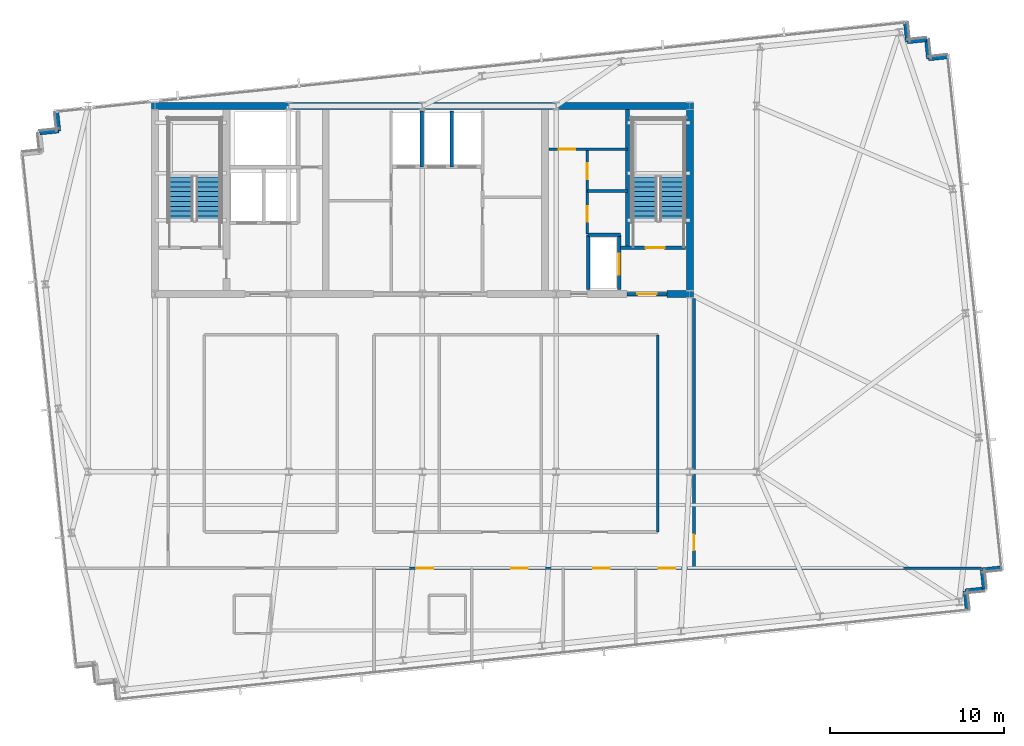
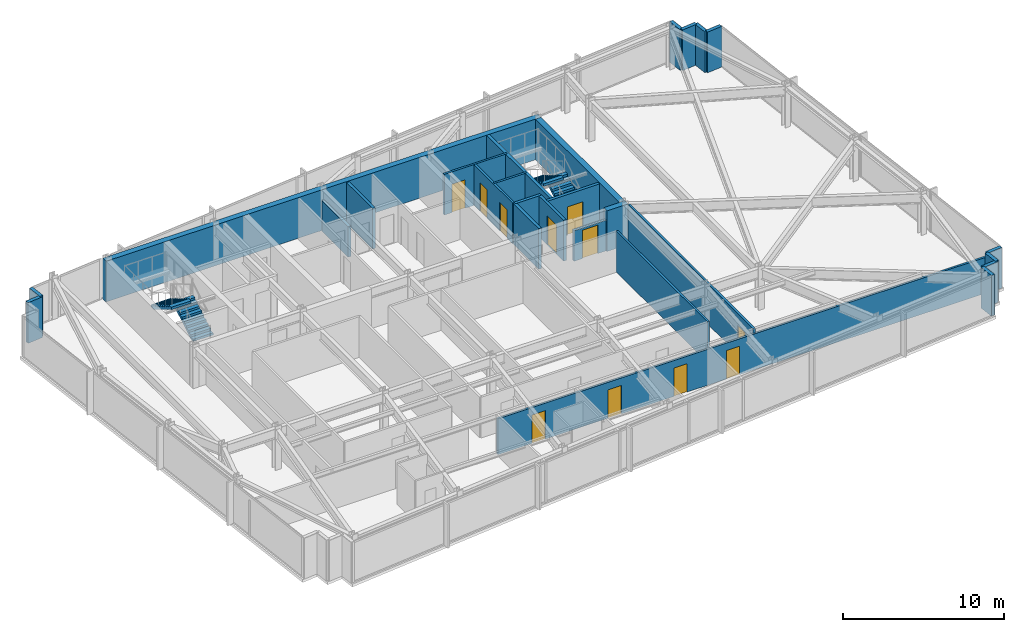
# One storey, part 28 of 32: 27 walls, 11 doors, 4 stair flights, 11 openings, 2 elements without a shape of their own.
"""IFC4 building model written with IfcOpenShell, lengths in metres."""

from ifc_helpers import new_model, si_unit, direction, frame, frame_2d, origin, place, context, subcontext, project, spatial, polyline, rectangle, outline, extrude, material, layer, layer_set, type_object, element, fill, aggregate, save


model = new_model("IFC4")

# Units and contexts
model_context = context("Model", 3, precision=1e-05, world=origin(), true_north=direction((0.0, 1.0)))
body_context = subcontext(model_context, "Body", "Model", "MODEL_VIEW")
ifc_project = project(units=[si_unit("LENGTHUNIT", "METRE"), si_unit("AREAUNIT", "SQUARE_METRE"), si_unit("VOLUMEUNIT", "CUBIC_METRE"), si_unit("PLANEANGLEUNIT", "RADIAN"), si_unit("MASSUNIT", "GRAM", prefix="KILO")], contexts=[model_context])

# Site, building, storey
site_placement = place(None, origin())
site = spatial("IfcSite", under=ifc_project, at=site_placement, CompositionType="ELEMENT")
building_placement = place(site_placement, origin())
building = spatial("IfcBuilding", under=site, at=building_placement, Name="Yelkora Congress Tower", CompositionType="ELEMENT")
storey_placement = place(building_placement, frame((0.0, 0.0, 217.699951171875)))
storey = spatial("IfcBuildingStorey", under=building, at=storey_placement, Name="L60", CompositionType="ELEMENT", Elevation=217.699951171875)

# Walls
ifc_material_1 = material(Name="Concrete C50/60", Category="concrete")
ifc_layer_1 = layer(ifc_material_1, 0.219970703125)
ifc_layer_set_1 = layer_set([ifc_layer_1], Name="Concrete C50/60")
wall_type_1 = type_object("IfcWallType", Name="WALL-CORE-INT-220", PredefinedType="SHEAR", material=ifc_layer_set_1)
wall_1_placement = place(storey_placement, frame((50.179931640625, 38.050048828125, 0.0), z_axis=(0.0, 0.0, 1.0), x_axis=(0.0, 1.0, 0.0)))
element("IfcWall", 1, at=wall_1_placement, inside=storey, type_object=wall_type_1, Name="L60 ST02 West Stair Shear Wall", PredefinedType="SHEAR", context=body_context, shape_type="SweptSolid", body=[
    extrude(rectangle(XDim=7.949951171875, YDim=0.219970703125, at=frame_2d((3.97509765625, 0.0))), origin(), (0.0, 0.0, 1.0), 3.080078125),
])
ifc_layer_2 = layer(ifc_material_1, 0.39990234375)
ifc_layer_set_2 = layer_set([ifc_layer_2], Name="Concrete C50/60")
wall_type_2 = type_object("IfcWallType", Name="WALL-CORE-INT-400", PredefinedType="SHEAR", material=ifc_layer_set_2)
wall_2_placement = place(storey_placement, frame((22.840087890625, 46.199951171875, 0.0), z_axis=(0.0, 0.0, 1.0), x_axis=(1.0, 0.0, 0.0)))
element("IfcWall", 2, at=wall_2_placement, inside=storey, type_object=wall_type_2, Name="L60 Rear Core North Shear Wall", PredefinedType="SHEAR", context=body_context, shape_type="SweptSolid", body=[
    extrude(rectangle(XDim=31.119873046875, YDim=0.39990234375, at=frame_2d((15.56005859375, 0.0))), origin(), (0.0, 0.0, 1.0), 3.080078125),
])
wall_3_placement = place(storey_placement, frame((52.449951171875, 35.39990234375, 0.0), z_axis=(0.0, 0.0, 1.0), x_axis=(1.0, 0.0, 0.0)))
element("IfcWall", 3, at=wall_3_placement, inside=storey, type_object=wall_type_2, Name="L60 Rear Core South-East Shear Wall B", PredefinedType="SHEAR", context=body_context, shape_type="SweptSolid", body=[
    extrude(rectangle(XDim=1.510009765625, YDim=0.39990234375, at=frame_2d((0.7548828125, 0.0))), origin(), (0.0, 0.0, 1.0), 3.080078125),
])
wall_4_placement = place(storey_placement, frame((53.760009765625, 35.60009765625, 0.0), z_axis=(0.0, 0.0, 1.0), x_axis=(0.0, 1.0, 0.0)))
element("IfcWall", 4, at=wall_4_placement, inside=storey, type_object=wall_type_2, Name="L60 Rear Core Cross Shear Wall E", PredefinedType="SHEAR", context=body_context, shape_type="SweptSolid", body=[
    extrude(rectangle(XDim=10.39990234375, YDim=0.39990234375, at=frame_2d((5.199951171875, 0.0))), origin(), (0.0, 0.0, 1.0), 3.080078125),
])
ifc_material_2 = material(Name="Concrete C40/50", Category="concrete")
ifc_layer_3 = layer(ifc_material_2, 0.239990234375)
ifc_layer_set_3 = layer_set([ifc_layer_3], Name="Concrete C40/50")
wall_type_3 = type_object("IfcWallType", Name="WALL-EXT-LIMESTONE-240", PredefinedType="SOLIDWALL", material=ifc_layer_set_3)
wall_5_placement = place(storey_placement, frame((16.420166015625, 44.65380859375, 0.0), z_axis=(0.0, 0.0, 1.0), x_axis=(0.994541884982, 0.104338099541, 0.0)))
element("IfcWall", 5, at=wall_5_placement, inside=storey, type_object=wall_type_3, Name="L60 Serrated Corner Limestone Pier 8", PredefinedType="SOLIDWALL", context=body_context, shape_type="SweptSolid", body=[
    extrude(rectangle(XDim=1.099853515625, YDim=0.239990234375, at=frame_2d((0.5498046875, 0.0))), origin(), (0.0, 0.0, 1.0), 3.080078125),
])
for number, where, z_axis, x_axis, name in (
    (6, (17.513916015625, 44.7685546875, 0.0), (0.0, 0.0, 1.0), (-0.104534592565, 0.994521251134, 0.0), "L60 Serrated Corner Limestone Pier 9"),
    (7, (66.150390625, 50.986572265625, 0.0), (0.0, 0.0, 1.0), (0.104534592565, -0.994521251134, 0.0), "L60 Serrated Corner Limestone Pier 11"),
    (8, (66.265380859375, 49.892578125, 0.0), (0.0, 0.0, 1.0), (0.994521251134, 0.104534592565, 0.0), "L60 Serrated Corner Limestone Pier 12"),
    (9, (67.359375, 50.007568359375, 0.0), (0.0, 0.0, 1.0), (0.104534592565, -0.994521251134, 0.0), "L60 Serrated Corner Limestone Pier 13"),
    (10, (67.474365234375, 48.91357421875, 0.0), (0.0, 0.0, 1.0), (0.994521251134, 0.104534592565, 0.0), "L60 Serrated Corner Limestone Pier 14"),
    (11, (71.654052734375, 19.67041015625, 0.0), (0.0, 0.0, 1.0), (-0.994521251134, -0.104534592565, 0.0), "L60 Serrated Corner Limestone Pier 16"),
    (12, (70.56005859375, 19.555419921875, 0.0), (0.0, 0.0, 1.0), (0.104534592565, -0.994521251134, 0.0), "L60 Serrated Corner Limestone Pier 17"),
    (13, (70.675048828125, 18.46142578125, 0.0), (0.0, 0.0, 1.0), (-0.994521251134, -0.104534592565, 0.0), "L60 Serrated Corner Limestone Pier 18"),
    (14, (69.5810546875, 18.346435546875, 0.0), (0.0, 0.0, 1.0), (0.104534592565, -0.994521251134, 0.0), "L60 Serrated Corner Limestone Pier 19"),
):
    element("IfcWall", number, at=place(storey_placement, frame(where, z_axis=z_axis, x_axis=x_axis)), inside=storey, type_object=wall_type_3, Name=name, PredefinedType="SOLIDWALL", context=body_context, shape_type="SweptSolid", body=[
        extrude(rectangle(XDim=1.10009765625, YDim=0.239990234375, at=frame_2d((0.550048828125, 0.0))), origin(), (0.0, 0.0, 1.0), 3.080078125),
    ])

# Wall, opening, door
ifc_material_3 = material(Name="Acoustic metal-stud gypsum partition", Category="gypsum")
ifc_layer_4 = layer(ifc_material_3, 0.14990234375)
ifc_layer_set_4 = layer_set([ifc_layer_4], Name="Acoustic metal-stud gypsum partition")
wall_type_4 = type_object("IfcWallType", Name="WALL-INT-150-NR", PredefinedType="PARTITIONING", material=ifc_layer_set_4)
wall_6_placement = place(storey_placement, frame((45.679931640625, 43.719970703125, 0.0), z_axis=(0.0, 0.0, 1.0), x_axis=(1.0, 0.0, 0.0)))
wall_6 = element("IfcWall", 15, at=wall_6_placement, inside=storey, type_object=wall_type_4, Name="L60 Partition Wall 20", PredefinedType="PARTITIONING", context=body_context, shape_type="SweptSolid", body=[
    extrude(rectangle(XDim=4.5, YDim=0.14990234375, at=frame_2d((2.25, 0.0))), origin(), (0.0, 0.0, 1.0), 3.080078125),
])
opening_1_placement = place(wall_6_placement, frame((0.550048828125, 0.0, 0.0)))
opening_1 = element("IfcOpeningElement", 16, at=opening_1_placement, cuts=wall_6, Name="Opening DR-095N", PredefinedType="OPENING", context=body_context, shape_type="SweptSolid", body=[
    extrude(rectangle(XDim=0.949951171875, YDim=2.14990234375, at=frame_2d((0.47509765625, 1.074951171875))), frame((0.0, 0.0849609375, 0.0), z_axis=(0.0, -1.0, 0.0), x_axis=(1.0, 0.0, 0.0)), (0.0, 0.0, 1.0), 0.169921875),
])
ifc_material_4 = material(Name="Acoustic laminated timber office door", Category="wood")
door_type_1 = type_object("IfcDoorType", Name="DOOR-INT-950", OperationType="NOTDEFINED", PredefinedType="DOOR", material=ifc_material_4)
door_1_placement = place(opening_1_placement, origin())
door_1 = element("IfcDoor", 17, at=door_1_placement, inside=storey, type_object=door_type_1, Name="L60 Accessible WC Door", OperationType="SINGLE_SWING_LEFT", OverallHeight=2.14990234375, OverallWidth=0.949951171875, PredefinedType="DOOR", context=body_context, shape_type="SweptSolid", body=[
    extrude(rectangle(XDim=0.949951171875, YDim=2.14990234375, at=frame_2d((0.47509765625, 1.074951171875))), frame((0.0, 0.02490234375, 0.0), z_axis=(0.0, -1.0, 0.0), x_axis=(1.0, 0.0, 0.0)), (0.0, 0.0, 1.0), 0.050048828125),
])
fill(opening_1, door_1)

# Wall
wall_7_placement = place(storey_placement, frame((47.8798828125, 41.320068359375, 0.0), z_axis=(0.0, 0.0, 1.0), x_axis=(1.0, 0.0, 0.0)))
element("IfcWall", 18, at=wall_7_placement, inside=storey, type_object=wall_type_4, Name="L60 Partition Wall 21", PredefinedType="PARTITIONING", context=body_context, shape_type="SweptSolid", body=[
    extrude(rectangle(XDim=2.300048828125, YDim=0.14990234375, at=frame_2d((1.14990234375, 0.0))), origin(), (0.0, 0.0, 1.0), 3.080078125),
])

# Wall, openings, doors
wall_8_placement = place(storey_placement, frame((47.8798828125, 38.85009765625, 0.0), z_axis=(0.0, 0.0, 1.0), x_axis=(0.0, 1.0, 0.0)))
wall_8 = element("IfcWall", 19, at=wall_8_placement, inside=storey, type_object=wall_type_4, Name="L60 Partition Wall 22", PredefinedType="PARTITIONING", context=body_context, shape_type="SweptSolid", body=[
    extrude(rectangle(XDim=4.869873046875, YDim=0.14990234375, at=frame_2d((2.43505859375, 0.0))), origin(), (0.0, 0.0, 1.0), 3.080078125),
])
opening_2_placement = place(wall_8_placement, frame((0.699951171875, 0.0, 0.0)))
opening_2 = element("IfcOpeningElement", 20, at=opening_2_placement, cuts=wall_8, Name="Opening DR-090N", PredefinedType="OPENING", context=body_context, shape_type="SweptSolid", body=[
    extrude(rectangle(XDim=0.89990234375, YDim=2.14990234375, at=frame_2d((0.449951171875, 1.074951171875))), frame((0.0, 0.0849609375, 0.0), z_axis=(0.0, -1.0, 0.0), x_axis=(1.0, 0.0, 0.0)), (0.0, 0.0, 1.0), 0.169921875),
])
opening_3_placement = place(wall_8_placement, frame((3.14990234375, 0.0, 0.0)))
opening_3 = element("IfcOpeningElement", 21, at=opening_3_placement, cuts=wall_8, Name="Opening DR-090N", PredefinedType="OPENING", context=body_context, shape_type="SweptSolid", body=[
    extrude(rectangle(XDim=0.89990234375, YDim=2.14990234375, at=frame_2d((0.449951171875, 1.074951171875))), frame((0.0, 0.0849609375, 0.0), z_axis=(0.0, -1.0, 0.0), x_axis=(1.0, 0.0, 0.0)), (0.0, 0.0, 1.0), 0.169921875),
])
ifc_material_5 = material(Name="Moisture-resistant laminate door leaf", Category="wood")
door_type_2 = type_object("IfcDoorType", Name="DOOR-INT-900", OperationType="NOTDEFINED", PredefinedType="DOOR", material=ifc_material_5)
door_2_placement = place(opening_2_placement, origin())
door_2 = element("IfcDoor", 22, at=door_2_placement, inside=storey, type_object=door_type_2, Name="L60 Male WC Door", OperationType="SINGLE_SWING_RIGHT", OverallHeight=2.14990234375, OverallWidth=0.89990234375, PredefinedType="DOOR", context=body_context, shape_type="SweptSolid", body=[
    extrude(rectangle(XDim=0.89990234375, YDim=2.14990234375, at=frame_2d((0.449951171875, 1.074951171875))), frame((0.0, 0.02490234375, 0.0), z_axis=(0.0, -1.0, 0.0), x_axis=(1.0, 0.0, 0.0)), (0.0, 0.0, 1.0), 0.050048828125),
])
fill(opening_2, door_2)
door_3_placement = place(opening_3_placement, origin())
door_3 = element("IfcDoor", 23, at=door_3_placement, inside=storey, type_object=door_type_2, Name="L60 Female WC Door", OperationType="SINGLE_SWING_LEFT", OverallHeight=2.14990234375, OverallWidth=0.89990234375, PredefinedType="DOOR", context=body_context, shape_type="SweptSolid", body=[
    extrude(rectangle(XDim=0.89990234375, YDim=2.14990234375, at=frame_2d((0.449951171875, 1.074951171875))), frame((0.0, 0.02490234375, 0.0), z_axis=(0.0, -1.0, 0.0), x_axis=(1.0, 0.0, 0.0)), (0.0, 0.0, 1.0), 0.050048828125),
])
fill(opening_3, door_3)

# Wall, opening, door
wall_9_placement = place(storey_placement, frame((54.0, 19.64990234375, 0.0), z_axis=(0.0, 0.0, 1.0), x_axis=(0.0, 1.0, 0.0)))
wall_9 = element("IfcWall", 24, at=wall_9_placement, inside=storey, type_object=wall_type_4, Name="L60 Partition Wall 38", PredefinedType="PARTITIONING", context=body_context, shape_type="SweptSolid", body=[
    extrude(rectangle(XDim=15.489990234375, YDim=0.14990234375, at=frame_2d((7.7451171875, 0.0))), origin(), (0.0, 0.0, 1.0), 3.080078125),
])
opening_4_placement = place(wall_9_placement, frame((1.030029296875, 0.0, 0.0)))
opening_4 = element("IfcOpeningElement", 25, at=opening_4_placement, cuts=wall_9, Name="Opening DR-090N", PredefinedType="OPENING", context=body_context, shape_type="SweptSolid", body=[
    extrude(rectangle(XDim=0.89990234375, YDim=2.14990234375, at=frame_2d((0.449951171875, 1.074951171875))), frame((0.0, 0.0849609375, 0.0), z_axis=(0.0, -1.0, 0.0), x_axis=(1.0, 0.0, 0.0)), (0.0, 0.0, 1.0), 0.169921875),
])
door_4_placement = place(opening_4_placement, origin())
door_4 = element("IfcDoor", 26, at=door_4_placement, inside=storey, type_object=door_type_2, Name="L60 E Wing Door", OperationType="SINGLE_SWING_RIGHT", OverallHeight=2.14990234375, OverallWidth=0.89990234375, PredefinedType="DOOR", context=body_context, shape_type="SweptSolid", body=[
    extrude(rectangle(XDim=0.89990234375, YDim=2.14990234375, at=frame_2d((0.449951171875, 1.074951171875))), frame((0.0, 0.02490234375, 0.0), z_axis=(0.0, -1.0, 0.0), x_axis=(1.0, 0.0, 0.0)), (0.0, 0.0, 1.0), 0.050048828125),
])
fill(opening_4, door_4)

# Wall
wall_10_placement = place(storey_placement, frame((51.919921875, 21.72998046875, 0.0), z_axis=(0.0, 0.0, 1.0), x_axis=(0.0, 1.0, 0.0)))
element("IfcWall", 27, at=wall_10_placement, inside=storey, type_object=wall_type_4, Name="L60 Partition Wall 40", PredefinedType="PARTITIONING", context=body_context, shape_type="SweptSolid", body=[
    extrude(rectangle(XDim=11.320068359375, YDim=0.14990234375, at=frame_2d((5.66015625, 0.0))), origin(), (0.0, 0.0, 1.0), 3.080078125),
])

# Wall, openings, doors
ifc_material_6 = material(Name="Twin-stud fire-rated gypsum partition", Category="gypsum")
ifc_layer_5 = layer(ifc_material_6, 0.14990234375)
ifc_layer_set_5 = layer_set([ifc_layer_5], Name="Twin-stud fire-rated gypsum partition")
wall_type_5 = type_object("IfcWallType", Name="WALL-INT-150-R60", PredefinedType="PARTITIONING", material=ifc_layer_set_5)
wall_11_placement = place(storey_placement, frame((35.6201171875, 19.64990234375, 0.0), z_axis=(0.0, 0.0, 1.0), x_axis=(1.0, 0.0, 0.0)))
wall_11 = element("IfcWall", 28, at=wall_11_placement, inside=storey, type_object=wall_type_5, Name="L60 South Spine Wall East", PredefinedType="PARTITIONING", context=body_context, shape_type="SweptSolid", body=[
    extrude(rectangle(XDim=34.89990234375, YDim=0.14990234375, at=frame_2d((17.449951171875, 0.0))), origin(), (0.0, 0.0, 1.0), 2.715087890625),
])
opening_5_placement = place(wall_11_placement, frame((2.4541015625, 0.0, 0.0)))
opening_5 = element("IfcOpeningElement", 29, at=opening_5_placement, cuts=wall_11, Name="Opening DR-095F6", PredefinedType="OPENING", context=body_context, shape_type="SweptSolid", body=[
    extrude(rectangle(XDim=0.949951171875, YDim=2.14990234375, at=frame_2d((0.47509765625, 1.074951171875))), frame((0.0, 0.0849609375, 0.0), z_axis=(0.0, -1.0, 0.0), x_axis=(1.0, 0.0, 0.0)), (0.0, 0.0, 1.0), 0.169921875),
])
opening_6_placement = place(wall_11_placement, frame((7.887939453125, 0.0, 0.0)))
opening_6 = element("IfcOpeningElement", 30, at=opening_6_placement, cuts=wall_11, Name="Opening DR-095F6", PredefinedType="OPENING", context=body_context, shape_type="SweptSolid", body=[
    extrude(rectangle(XDim=0.949951171875, YDim=2.14990234375, at=frame_2d((0.47509765625, 1.074951171875))), frame((0.0, 0.0849609375, 0.0), z_axis=(0.0, -1.0, 0.0), x_axis=(1.0, 0.0, 0.0)), (0.0, 0.0, 1.0), 0.169921875),
])
opening_7_placement = place(wall_11_placement, frame((12.593505859375, 0.0, 0.0)))
opening_7 = element("IfcOpeningElement", 31, at=opening_7_placement, cuts=wall_11, Name="Opening DR-095F6", PredefinedType="OPENING", context=body_context, shape_type="SweptSolid", body=[
    extrude(rectangle(XDim=0.949951171875, YDim=2.14990234375, at=frame_2d((0.47509765625, 1.074951171875))), frame((0.0, 0.0849609375, 0.0), z_axis=(0.0, -1.0, 0.0), x_axis=(1.0, 0.0, 0.0)), (0.0, 0.0, 1.0), 0.169921875),
])
opening_8_placement = place(wall_11_placement, frame((16.344482421875, 0.0, 0.0)))
opening_8 = element("IfcOpeningElement", 32, at=opening_8_placement, cuts=wall_11, Name="Opening DR-095F6", PredefinedType="OPENING", context=body_context, shape_type="SweptSolid", body=[
    extrude(rectangle(XDim=0.949951171875, YDim=2.14990234375, at=frame_2d((0.47509765625, 1.074951171875))), frame((0.0, 0.0849609375, 0.0), z_axis=(0.0, -1.0, 0.0), x_axis=(1.0, 0.0, 0.0)), (0.0, 0.0, 1.0), 0.169921875),
])
ifc_material_7 = material(Name="Acoustic oak-veneer fire door leaf", Category="wood")
door_type_3 = type_object("IfcDoorType", Name="DOOR-FD60-950", OperationType="NOTDEFINED", PredefinedType="DOOR", material=ifc_material_7)
door_5_placement = place(opening_5_placement, origin())
door_5 = element("IfcDoor", 33, at=door_5_placement, inside=storey, type_object=door_type_3, Name="L60 Hotel Guest Room 03 Entry Door", OperationType="SINGLE_SWING_LEFT", OverallHeight=2.14990234375, OverallWidth=0.949951171875, PredefinedType="DOOR", context=body_context, shape_type="SweptSolid", body=[
    extrude(rectangle(XDim=0.949951171875, YDim=2.14990234375, at=frame_2d((0.47509765625, 1.074951171875))), frame((0.0, 0.02490234375, 0.0), z_axis=(0.0, -1.0, 0.0), x_axis=(1.0, 0.0, 0.0)), (0.0, 0.0, 1.0), 0.050048828125),
])
fill(opening_5, door_5)
door_6_placement = place(opening_6_placement, origin())
door_6 = element("IfcDoor", 34, at=door_6_placement, inside=storey, type_object=door_type_3, Name="L60 VIP Hospitality Lounge Entry Door", OperationType="SINGLE_SWING_RIGHT", OverallHeight=2.14990234375, OverallWidth=0.949951171875, PredefinedType="DOOR", context=body_context, shape_type="SweptSolid", body=[
    extrude(rectangle(XDim=0.949951171875, YDim=2.14990234375, at=frame_2d((0.47509765625, 1.074951171875))), frame((0.0, 0.02490234375, 0.0), z_axis=(0.0, -1.0, 0.0), x_axis=(1.0, 0.0, 0.0)), (0.0, 0.0, 1.0), 0.050048828125),
])
fill(opening_6, door_6)
door_7_placement = place(opening_7_placement, origin())
door_7 = element("IfcDoor", 35, at=door_7_placement, inside=storey, type_object=door_type_3, Name="L60 VIP Hospitality Lounge Entry Door", OperationType="SINGLE_SWING_LEFT", OverallHeight=2.14990234375, OverallWidth=0.949951171875, PredefinedType="DOOR", context=body_context, shape_type="SweptSolid", body=[
    extrude(rectangle(XDim=0.949951171875, YDim=2.14990234375, at=frame_2d((0.47509765625, 1.074951171875))), frame((0.0, 0.02490234375, 0.0), z_axis=(0.0, -1.0, 0.0), x_axis=(1.0, 0.0, 0.0)), (0.0, 0.0, 1.0), 0.050048828125),
])
fill(opening_7, door_7)
door_8_placement = place(opening_8_placement, origin())
door_8 = element("IfcDoor", 36, at=door_8_placement, inside=storey, type_object=door_type_3, Name="L60 VIP Hospitality Lounge Entry Door", OperationType="SINGLE_SWING_RIGHT", OverallHeight=2.14990234375, OverallWidth=0.949951171875, PredefinedType="DOOR", context=body_context, shape_type="SweptSolid", body=[
    extrude(rectangle(XDim=0.949951171875, YDim=2.14990234375, at=frame_2d((0.47509765625, 1.074951171875))), frame((0.0, 0.02490234375, 0.0), z_axis=(0.0, -1.0, 0.0), x_axis=(1.0, 0.0, 0.0)), (0.0, 0.0, 1.0), 0.050048828125),
])
fill(opening_8, door_8)

# Walls
ifc_material_8 = material(Name="Autoclaved aerated concrete blockwork", Category="masonry")
ifc_layer_6 = layer(ifc_material_8, 0.199951171875)
ifc_layer_set_6 = layer_set([ifc_layer_6], Name="Autoclaved aerated concrete blockwork")
wall_type_6 = type_object("IfcWallType", Name="WALL-INT-200-R120", PredefinedType="PARTITIONING", material=ifc_layer_set_6)
wall_12_placement = place(storey_placement, frame((38.35009765625, 42.699951171875, 0.0), z_axis=(0.0, 0.0, 1.0), x_axis=(0.0, 1.0, 0.0)))
element("IfcWall", 37, at=wall_12_placement, inside=storey, type_object=wall_type_6, Name="L60 Partition Wall 9", PredefinedType="PARTITIONING", context=body_context, shape_type="SweptSolid", body=[
    extrude(rectangle(XDim=3.219970703125, YDim=0.199951171875, at=frame_2d((1.60986328125, 0.0))), origin(), (0.0, 0.0, 1.0), 2.31298828125),
])
wall_13_placement = place(storey_placement, frame((40.10009765625, 42.699951171875, 0.0), z_axis=(0.0, 0.0, 1.0), x_axis=(0.0, 1.0, 0.0)))
element("IfcWall", 38, at=wall_13_placement, inside=storey, type_object=wall_type_6, Name="L60 Partition Wall 10", PredefinedType="PARTITIONING", context=body_context, shape_type="SweptSolid", body=[
    extrude(rectangle(XDim=3.219970703125, YDim=0.199951171875, at=frame_2d((1.60986328125, 0.0))), origin(), (0.0, 0.0, 1.0), 3.080078125),
])

# Wall, opening, door
wall_14_placement = place(storey_placement, frame((49.780029296875, 38.050048828125, 0.0), z_axis=(0.0, 0.0, 1.0), x_axis=(1.0, 0.0, 0.0)))
wall_14 = element("IfcWall", 39, at=wall_14_placement, inside=storey, type_object=wall_type_6, Name="L60 Stair ST-02 Enclosure Wall", PredefinedType="PARTITIONING", context=body_context, shape_type="SweptSolid", body=[
    extrude(rectangle(XDim=3.719970703125, YDim=0.199951171875, at=frame_2d((1.85986328125, 0.0))), origin(), (0.0, 0.0, 1.0), 3.080078125),
])
opening_9_placement = place(wall_14_placement, frame((1.436279296875, 0.0, 0.0)))
opening_9 = element("IfcOpeningElement", 40, at=opening_9_placement, cuts=wall_14, Name="Opening DR-110F9", PredefinedType="OPENING", context=body_context, shape_type="SweptSolid", body=[
    extrude(rectangle(XDim=1.10009765625, YDim=2.14990234375, at=frame_2d((0.550048828125, 1.074951171875))), frame((0.0, 0.10986328125, 0.0), z_axis=(0.0, -1.0, 0.0), x_axis=(1.0, 0.0, 0.0)), (0.0, 0.0, 1.0), 0.219970703125),
])
ifc_material_9 = material(Name="Galvanised steel fire door leaf", Category="steel")
door_type_4 = type_object("IfcDoorType", Name="DOOR-FD90-1100", OperationType="NOTDEFINED", PredefinedType="DOOR", material=ifc_material_9)
door_9_placement = place(opening_9_placement, origin())
door_9 = element("IfcDoor", 41, at=door_9_placement, inside=storey, type_object=door_type_4, Name="L60 Stair ST-02 Entry Door", OperationType="SINGLE_SWING_RIGHT", OverallHeight=2.14990234375, OverallWidth=1.10009765625, PredefinedType="DOOR", context=body_context, shape_type="SweptSolid", body=[
    extrude(rectangle(XDim=1.10009765625, YDim=2.14990234375, at=frame_2d((0.550048828125, 1.074951171875))), frame((0.0, 0.02490234375, 0.0), z_axis=(0.0, -1.0, 0.0), x_axis=(1.0, 0.0, 0.0)), (0.0, 0.0, 1.0), 0.050048828125),
])
fill(opening_9, door_9)

wall_15_placement = place(storey_placement, frame((50.14990234375, 35.39990234375, 0.0), z_axis=(0.0, 0.0, 1.0), x_axis=(1.0, 0.0, 0.0)))
wall_15 = element("IfcWall", 42, at=wall_15_placement, inside=storey, type_object=wall_type_6, Name="L60 Partition Wall 16", PredefinedType="PARTITIONING", context=body_context, shape_type="SweptSolid", body=[
    extrude(rectangle(XDim=2.300048828125, YDim=0.199951171875, at=frame_2d((1.14990234375, 0.0))), origin(), (0.0, 0.0, 1.0), 2.31298828125),
])
opening_10_placement = place(wall_15_placement, frame((0.60009765625, 0.0, 0.0)))
opening_10 = element("IfcOpeningElement", 43, at=opening_10_placement, cuts=wall_15, Name="Opening DR-110F9", PredefinedType="OPENING", context=body_context, shape_type="SweptSolid", body=[
    extrude(rectangle(XDim=1.10009765625, YDim=2.14990234375, at=frame_2d((0.550048828125, 1.074951171875))), frame((0.0, 0.10986328125, 0.0), z_axis=(0.0, -1.0, 0.0), x_axis=(1.0, 0.0, 0.0)), (0.0, 0.0, 1.0), 0.219970703125),
])
door_10_placement = place(opening_10_placement, origin())
door_10 = element("IfcDoor", 44, at=door_10_placement, inside=storey, type_object=door_type_4, Name="L60 East Stair Lobby Door", OperationType="SINGLE_SWING_LEFT", OverallHeight=2.14990234375, OverallWidth=1.10009765625, PredefinedType="DOOR", context=body_context, shape_type="SweptSolid", body=[
    extrude(rectangle(XDim=1.10009765625, YDim=2.14990234375, at=frame_2d((0.550048828125, 1.074951171875))), frame((0.0, 0.02490234375, 0.0), z_axis=(0.0, -1.0, 0.0), x_axis=(1.0, 0.0, 0.0)), (0.0, 0.0, 1.0), 0.050048828125),
])
fill(opening_10, door_10)

wall_16_placement = place(storey_placement, frame((49.699951171875, 35.64990234375, 0.0), z_axis=(0.0, 0.0, 1.0), x_axis=(0.0, 1.0, 0.0)))
wall_16 = element("IfcWall", 45, at=wall_16_placement, inside=storey, type_object=wall_type_6, Name="L60 Partition Wall 17", PredefinedType="PARTITIONING", context=body_context, shape_type="SweptSolid", body=[
    extrude(rectangle(XDim=3.150146484375, YDim=0.199951171875, at=frame_2d((1.5751953125, 0.0))), origin(), (0.0, 0.0, 1.0), 3.080078125),
])
opening_11_placement = place(wall_16_placement, frame((0.85009765625, 0.0, 0.0)))
opening_11 = element("IfcOpeningElement", 46, at=opening_11_placement, cuts=wall_16, Name="Opening LD-SV12", PredefinedType="OPENING", context=body_context, shape_type="SweptSolid", body=[
    extrude(rectangle(XDim=1.199951171875, YDim=2.199951171875, at=frame_2d((0.60009765625, 1.10009765625))), frame((0.0, 0.10986328125, 0.0), z_axis=(0.0, -1.0, 0.0), x_axis=(1.0, 0.0, 0.0)), (0.0, 0.0, 1.0), 0.219970703125),
])
ifc_material_10 = material(Name="Heavy-duty stainless steel landing door", Category="steel")
door_type_5 = type_object("IfcDoorType", Name="DOOR-LIFT-SRV-1200", OperationType="DOUBLE_DOOR_SLIDING", PredefinedType="DOOR", material=ifc_material_10)
door_11_placement = place(opening_11_placement, origin())
door_11 = element("IfcDoor", 47, at=door_11_placement, inside=storey, type_object=door_type_5, Name="Service Lift Landing Door LF-SV1 L60", OperationType="DOUBLE_DOOR_SLIDING", OverallHeight=2.199951171875, OverallWidth=1.199951171875, PredefinedType="DOOR", context=body_context, shape_type="SweptSolid", body=[
    extrude(rectangle(XDim=1.199951171875, YDim=2.199951171875, at=frame_2d((0.60009765625, 1.10009765625))), frame((0.0, 0.02490234375, 0.0), z_axis=(0.0, -1.0, 0.0), x_axis=(1.0, 0.0, 0.0)), (0.0, 0.0, 1.0), 0.050048828125),
])
fill(opening_11, door_11)

# Walls
wall_17_placement = place(storey_placement, frame((47.919921875, 35.64990234375, 0.0), z_axis=(0.0, 0.0, 1.0), x_axis=(0.0, 1.0, 0.0)))
element("IfcWall", 48, at=wall_17_placement, inside=storey, type_object=wall_type_6, Name="L60 Partition Wall 18", PredefinedType="PARTITIONING", context=body_context, shape_type="SweptSolid", body=[
    extrude(rectangle(XDim=3.150146484375, YDim=0.199951171875, at=frame_2d((1.5751953125, 0.0))), origin(), (0.0, 0.0, 1.0), 3.080078125),
])
wall_18_placement = place(storey_placement, frame((47.919921875, 38.800048828125, 0.0), z_axis=(0.0, 0.0, 1.0), x_axis=(1.0, 0.0, 0.0)))
element("IfcWall", 49, at=wall_18_placement, inside=storey, type_object=wall_type_6, Name="L60 Partition Wall 19", PredefinedType="PARTITIONING", context=body_context, shape_type="SweptSolid", body=[
    extrude(rectangle(XDim=1.860107421875, YDim=0.199951171875, at=frame_2d((0.93017578125, 0.0))), origin(), (0.0, 0.0, 1.0), 3.080078125),
])

# Stair, stair flights
stair_type = type_object("IfcStairType", Name="STAIR-HT-1420-R20-165", PredefinedType="HALF_TURN_STAIR", material=ifc_material_2)
stair_1_placement = place(storey_placement, origin())
stair_1 = element("IfcStair", 50, at=stair_1_placement, inside=storey, type_object=stair_type, Name="West Core Protected Exit Stair ST-01 (L60)", PredefinedType="HALF_TURN_STAIR")
stair_flight_type = type_object("IfcStairFlightType", Name="FLIGHT-1420-N10-R165-G280", PredefinedType="STRAIGHT", material=ifc_material_2)
stair_flight_1_placement = place(storey_placement, frame((26.110107421875, 39.60009765625, 0.0), z_axis=(0.0, 0.0, 1.0), x_axis=(0.0, 1.0, 0.0)))
stair_flight_1 = element("IfcStairFlight", 51, at=stair_flight_1_placement, type_object=stair_flight_type, Name="ST-01 L60 Flight 1", NumberOfRisers=10, NumberOfTreads=9, PredefinedType="STRAIGHT", RiserHeight=0.165, TreadLength=0.28, context=body_context, shape_type="SweptSolid", body=[
    extrude(outline(polyline([(0.0, 0.0), (0.0, 0.1650390625), (0.280029296875, 0.1650390625), (0.280029296875, 0.330078125), (0.56005859375, 0.330078125), (0.56005859375, 0.4951171875), (0.840087890625, 0.4951171875), (0.840087890625, 0.659912109375), (1.1201171875, 0.659912109375), (1.1201171875, 0.824951171875), (1.39990234375, 0.824951171875), (1.39990234375, 0.989990234375), (1.679931640625, 0.989990234375), (1.679931640625, 1.155029296875), (1.9599609375, 1.155029296875), (1.9599609375, 1.320068359375), (2.239990234375, 1.320068359375), (2.239990234375, 1.485107421875), (2.52001953125, 1.485107421875), (2.52001953125, 1.64990234375), (2.52001953125, 1.29931640625), (0.31494140625, 0.0), (0.0, 0.0)])), frame((0.0, 0.7099609375, 0.0), z_axis=(0.0, -1.0, 0.0), x_axis=(1.0, 0.0, 0.0)), (0.0, 0.0, 1.0), 1.419921875),
])
stair_flight_2_placement = place(storey_placement, frame((24.530029296875, 42.1201171875, 1.650146484375), z_axis=(0.0, 0.0, 1.0), x_axis=(0.0, -1.0, 0.0)))
stair_flight_2 = element("IfcStairFlight", 52, at=stair_flight_2_placement, type_object=stair_flight_type, Name="ST-01 L60 Flight 2", NumberOfRisers=10, NumberOfTreads=9, PredefinedType="STRAIGHT", RiserHeight=0.165, TreadLength=0.28, context=body_context, shape_type="SweptSolid", body=[
    extrude(outline(polyline([(0.0, 0.0), (0.0, 0.1650390625), (0.280029296875, 0.1650390625), (0.280029296875, 0.330078125), (0.56005859375, 0.330078125), (0.56005859375, 0.4951171875), (0.840087890625, 0.4951171875), (0.840087890625, 0.659912109375), (1.1201171875, 0.659912109375), (1.1201171875, 0.824951171875), (1.39990234375, 0.824951171875), (1.39990234375, 0.989990234375), (1.679931640625, 0.989990234375), (1.679931640625, 1.155029296875), (1.9599609375, 1.155029296875), (1.9599609375, 1.320068359375), (2.239990234375, 1.320068359375), (2.239990234375, 1.485107421875), (2.52001953125, 1.485107421875), (2.52001953125, 1.64990234375), (2.52001953125, 1.29931640625), (0.31494140625, 0.0), (0.0, 0.0)])), frame((0.0, 0.7099609375, 0.0), z_axis=(0.0, -1.0, 0.0), x_axis=(1.0, 0.0, 0.0)), (0.0, 0.0, 1.0), 1.419921875),
])
aggregate(stair_1, [stair_flight_1, stair_flight_2])

stair_2_placement = place(storey_placement, origin())
stair_2 = element("IfcStair", 53, at=stair_2_placement, inside=storey, type_object=stair_type, Name="East Core Protected Exit Stair ST-02 (L60)", PredefinedType="HALF_TURN_STAIR")
stair_flight_3_placement = place(storey_placement, frame((52.75, 39.60009765625, 0.0), z_axis=(0.0, 0.0, 1.0), x_axis=(0.0, 1.0, 0.0)))
stair_flight_3 = element("IfcStairFlight", 54, at=stair_flight_3_placement, type_object=stair_flight_type, Name="ST-02 L60 Flight 1", NumberOfRisers=10, NumberOfTreads=9, PredefinedType="STRAIGHT", RiserHeight=0.165, TreadLength=0.28, context=body_context, shape_type="SweptSolid", body=[
    extrude(outline(polyline([(0.0, 0.0), (0.0, 0.1650390625), (0.280029296875, 0.1650390625), (0.280029296875, 0.330078125), (0.56005859375, 0.330078125), (0.56005859375, 0.4951171875), (0.840087890625, 0.4951171875), (0.840087890625, 0.659912109375), (1.1201171875, 0.659912109375), (1.1201171875, 0.824951171875), (1.39990234375, 0.824951171875), (1.39990234375, 0.989990234375), (1.679931640625, 0.989990234375), (1.679931640625, 1.155029296875), (1.9599609375, 1.155029296875), (1.9599609375, 1.320068359375), (2.239990234375, 1.320068359375), (2.239990234375, 1.485107421875), (2.52001953125, 1.485107421875), (2.52001953125, 1.64990234375), (2.52001953125, 1.29931640625), (0.31494140625, 0.0), (0.0, 0.0)])), frame((0.0, 0.7099609375, 0.0), z_axis=(0.0, -1.0, 0.0), x_axis=(1.0, 0.0, 0.0)), (0.0, 0.0, 1.0), 1.419921875),
])
stair_flight_4_placement = place(storey_placement, frame((51.169921875, 42.1201171875, 1.650146484375), z_axis=(0.0, 0.0, 1.0), x_axis=(0.0, -1.0, 0.0)))
stair_flight_4 = element("IfcStairFlight", 55, at=stair_flight_4_placement, type_object=stair_flight_type, Name="ST-02 L60 Flight 2", NumberOfRisers=10, NumberOfTreads=9, PredefinedType="STRAIGHT", RiserHeight=0.165, TreadLength=0.28, context=body_context, shape_type="SweptSolid", body=[
    extrude(outline(polyline([(0.0, 0.0), (0.0, 0.1650390625), (0.280029296875, 0.1650390625), (0.280029296875, 0.330078125), (0.56005859375, 0.330078125), (0.56005859375, 0.4951171875), (0.840087890625, 0.4951171875), (0.840087890625, 0.659912109375), (1.1201171875, 0.659912109375), (1.1201171875, 0.824951171875), (1.39990234375, 0.824951171875), (1.39990234375, 0.989990234375), (1.679931640625, 0.989990234375), (1.679931640625, 1.155029296875), (1.9599609375, 1.155029296875), (1.9599609375, 1.320068359375), (2.239990234375, 1.320068359375), (2.239990234375, 1.485107421875), (2.52001953125, 1.485107421875), (2.52001953125, 1.64990234375), (2.52001953125, 1.29931640625), (0.31494140625, 0.0), (0.0, 0.0)])), frame((0.0, 0.7099609375, 0.0), z_axis=(0.0, -1.0, 0.0), x_axis=(1.0, 0.0, 0.0)), (0.0, 0.0, 1.0), 1.419921875),
])
aggregate(stair_2, [stair_flight_3, stair_flight_4])

save(model, "model.ifc")
